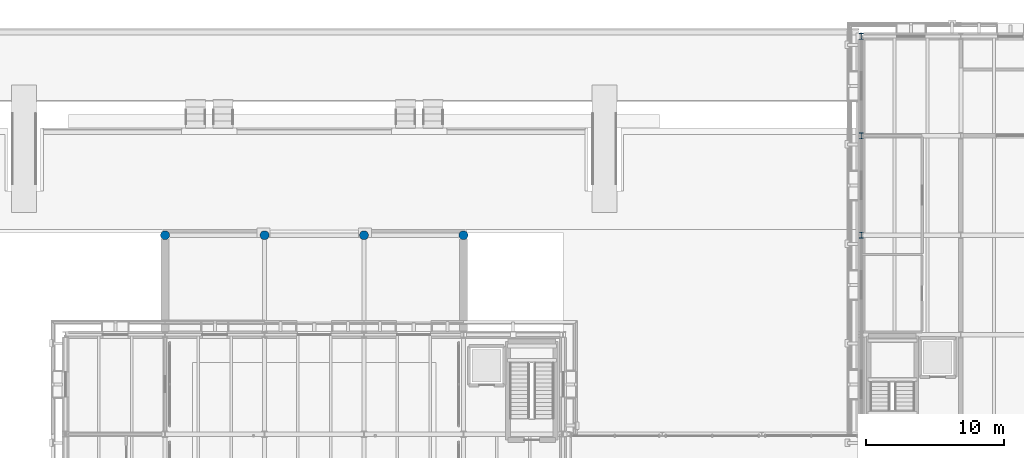
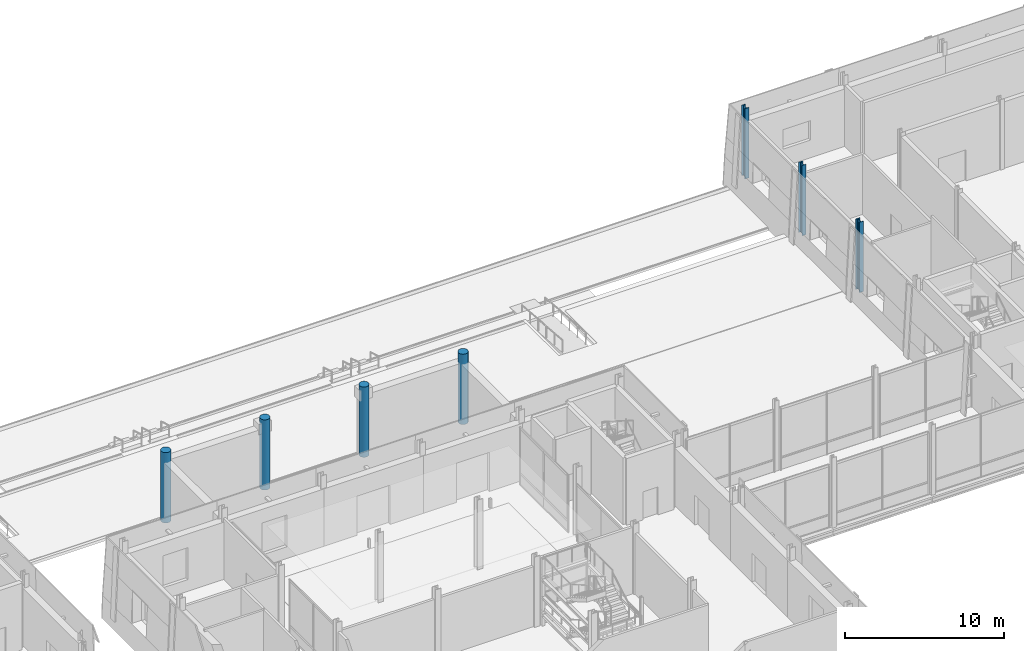
# One storey, part 16 of 120: 7 columns.
"""IFC4 building model written with IfcOpenShell, lengths in metres."""

from ifc_helpers import new_model, si_unit, direction, frame, origin, origin_2d, place, context, subcontext, project, spatial, circle, i_section, extrude, material, material_profile, profile_set, type_object, element, save


model = new_model("IFC4")

# Units and contexts
model_context = context("Model", 3, precision=1e-05, world=origin(), true_north=direction((0.0, 1.0)))
body_context = subcontext(model_context, "Body", "Model", "MODEL_VIEW")
ifc_project = project(units=[si_unit("LENGTHUNIT", "METRE"), si_unit("AREAUNIT", "SQUARE_METRE"), si_unit("VOLUMEUNIT", "CUBIC_METRE"), si_unit("PLANEANGLEUNIT", "RADIAN"), si_unit("MASSUNIT", "GRAM", prefix="KILO")], contexts=[model_context])

# Site, building, storey
site_placement = place(None, origin())
site = spatial("IfcSite", under=ifc_project, at=site_placement, CompositionType="ELEMENT")
building_placement = place(site_placement, origin())
building = spatial("IfcBuilding", under=site, at=building_placement, Name="Narikvali Park Central Library", CompositionType="ELEMENT")
storey_placement = place(building_placement, origin())
storey = spatial("IfcBuildingStorey", under=building, at=storey_placement, Name="L00", CompositionType="ELEMENT", Elevation=0.0)

# Columns
ifc_material_1 = material(Name="Precast concrete C40/50", Category="concrete")
ifc_material_profile_1 = material_profile(ifc_material_1, circle(Radius=0.324951171875, at=origin_2d()), Name="COL D650")
ifc_profile_set_1 = profile_set([ifc_material_profile_1], Name="Precast concrete C40/50")
column_type_1 = type_object("IfcColumnType", Name="Concrete Colonnade Column D650", PredefinedType="COLUMN", material=ifc_profile_set_1)
for number, where, z_axis, x_axis, name in (
    (1, (72.0, 100.800048828125, 0.0), (0.0, 0.0, 1.0), (1.0, 0.0, 0.0), "Entrance Arch Column L00 (72.0)"),
    (2, (79.199951171875, 100.800048828125, 0.0), (0.0, 0.0, 1.0), (1.0, 0.0, 0.0), "Entrance Arch Column L00 (79.2)"),
    (3, (86.39990234375, 100.800048828125, 0.0), (0.0, 0.0, 1.0), (1.0, 0.0, 0.0), "Entrance Arch Column L00 (86.4)"),
    (4, (93.60009765625, 100.800048828125, 0.0), (0.0, 0.0, 1.0), (1.0, 0.0, 0.0), "Entrance Arch Column L00 (93.6)"),
):
    element("IfcColumn", number, at=place(storey_placement, frame(where, z_axis=z_axis, x_axis=x_axis)), inside=storey, type_object=column_type_1, Name=name, PredefinedType="COLUMN", context=body_context, shape_type="SweptSolid", body=[
        extrude(circle(Radius=0.324951171875, at=origin_2d()), origin(), (0.0, 0.0, 1.0), 5.39990234375),
    ])
ifc_material_2 = material(Name="Steel S355", Category="steel")
ifc_material_profile_2 = material_profile(ifc_material_2, i_section(OverallWidth=0.300048828125, OverallDepth=0.449951171875, WebThickness=0.013916015625, FlangeThickness=0.02587890625, FilletRadius=0.027099609375, at=origin_2d()), Name="HEB 450")
ifc_profile_set_2 = profile_set([ifc_material_profile_2], Name="Steel S355")
column_type_2 = type_object("IfcColumnType", Name="Steel Column HEB450", PredefinedType="COLUMN", material=ifc_profile_set_2)
for number, where, z_axis, x_axis, name in (
    (5, (122.39990234375, 100.800048828125, 0.0), (0.0, 0.0, 1.0), (1.0, 0.0, 0.0), "V3 L00 Column (122.4,100.8)"),
    (6, (122.39990234375, 108.0, 0.0), (0.0, 0.0, 1.0), (1.0, 0.0, 0.0), "V3 L00 Column (122.4,108.0)"),
    (7, (122.39990234375, 115.199951171875, 0.0), (0.0, 0.0, 1.0), (1.0, 0.0, 0.0), "V3 L00 Column (122.4,115.2)"),
):
    element("IfcColumn", number, at=place(storey_placement, frame(where, z_axis=z_axis, x_axis=x_axis)), inside=storey, type_object=column_type_2, Name=name, PredefinedType="COLUMN", context=body_context, shape_type="SweptSolid", body=[
        extrude(i_section(OverallWidth=0.300048828125, OverallDepth=0.449951171875, WebThickness=0.013916015625, FlangeThickness=0.02587890625, FilletRadius=0.027099609375, at=origin_2d()), origin(), (0.0, 0.0, 1.0), 5.39990234375),
    ])

save(model, "model.ifc")
